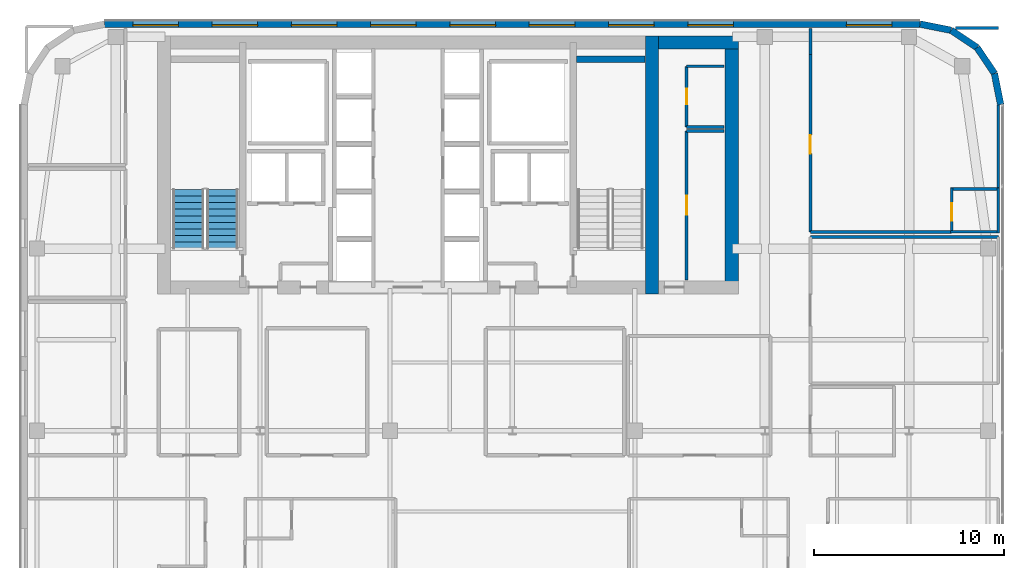
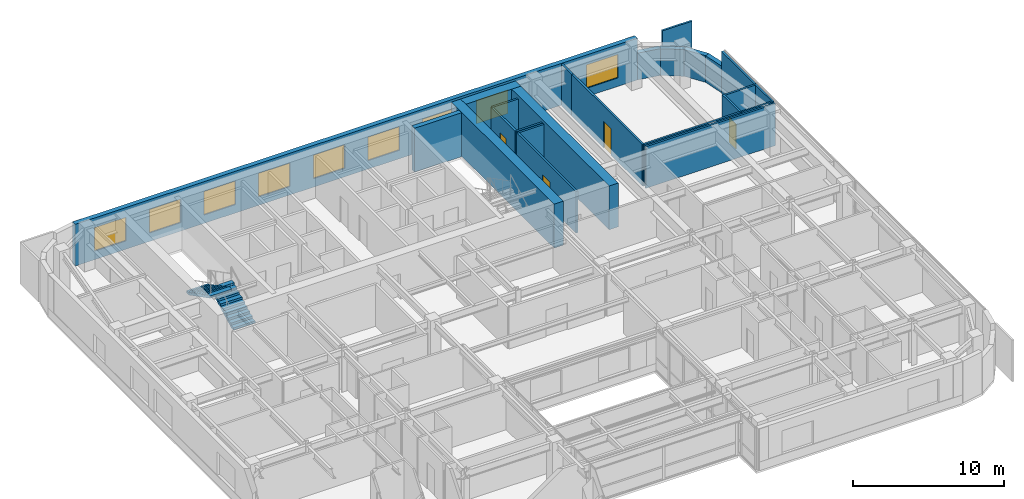
# One storey, part 20 of 26: 24 walls, 9 windows, 4 doors, 2 stair flights, 13 openings, 1 element without a shape of its own.
"""IFC4 building model written with IfcOpenShell, lengths in metres."""

from ifc_helpers import new_model, si_unit, direction, frame, frame_2d, origin, place, context, subcontext, project, spatial, polyline, rectangle, outline, extrude, source, transform, mapped, material, layer, layer_set, type_object, type_shapes, element, fill, aggregate, save


model = new_model("IFC4")

# Units and contexts
model_context = context("Model", 3, precision=1e-05, world=origin(), true_north=direction((0.0, 1.0)))
body_context = subcontext(model_context, "Body", "Model", "MODEL_VIEW")
ifc_project = project(units=[si_unit("LENGTHUNIT", "METRE"), si_unit("AREAUNIT", "SQUARE_METRE"), si_unit("VOLUMEUNIT", "CUBIC_METRE"), si_unit("PLANEANGLEUNIT", "RADIAN"), si_unit("MASSUNIT", "GRAM", prefix="KILO")], contexts=[model_context])

# Site, building, storey
site_placement = place(None, origin())
site = spatial("IfcSite", under=ifc_project, at=site_placement, CompositionType="ELEMENT")
building_placement = place(site_placement, origin())
building = spatial("IfcBuilding", under=site, at=building_placement, Name="Tolvann Quenvar Hotel", CompositionType="ELEMENT")
storey_placement = place(building_placement, frame((0.0, 0.0, 168.35009765625)))
storey = spatial("IfcBuildingStorey", under=building, at=storey_placement, Name="L44", CompositionType="ELEMENT", Elevation=168.35009765625)

# Walls
ifc_material_1 = material(Name="Concrete S65 (65 MPa)", Category="concrete")
ifc_layer_1 = layer(ifc_material_1, 0.699951171875)
ifc_layer_set_1 = layer_set([ifc_layer_1], Name="Concrete S65 (65 MPa)")
wall_type_1 = type_object("IfcWallType", Name="WALL_CORE_700", PredefinedType="SHEAR", material=ifc_layer_set_1)
wall_1_placement = place(storey_placement, frame((35.85009765625, 31.60009765625, 0.0), z_axis=(0.0, 0.0, 1.0), x_axis=(0.0, 1.0, 0.0)))
element("IfcWall", 1, at=wall_1_placement, inside=storey, type_object=wall_type_1, Name="Rear Core E Shear Wall (L44)", PredefinedType="SHEAR", context=body_context, shape_type="SweptSolid", body=[
    extrude(rectangle(XDim=13.599853515625, YDim=0.699951171875, at=frame_2d((6.7998046875, 0.0))), origin(), (0.0, 0.0, 1.0), 3.5498046875),
])
wall_2_placement = place(storey_placement, frame((36.199951171875, 44.85009765625, 0.0), z_axis=(0.0, 0.0, 1.0), x_axis=(1.0, 0.0, 0.0)))
element("IfcWall", 2, at=wall_2_placement, inside=storey, type_object=wall_type_1, Name="Core East Annex Shear Wall ANN-N (L44)", PredefinedType="SHEAR", context=body_context, shape_type="SweptSolid", body=[
    extrude(rectangle(XDim=4.199951171875, YDim=0.699951171875, at=frame_2d((2.10009765625, 0.0))), origin(), (0.0, 0.0, 1.0), 3.5498046875),
])
wall_3_placement = place(storey_placement, frame((40.050048828125, 31.60009765625, 0.0), z_axis=(0.0, 0.0, 1.0), x_axis=(0.0, 1.0, 0.0)))
element("IfcWall", 3, at=wall_3_placement, inside=storey, type_object=wall_type_1, Name="Core East Annex Shear Wall ANN-E (L44)", PredefinedType="SHEAR", context=body_context, shape_type="SweptSolid", body=[
    extrude(rectangle(XDim=13.599853515625, YDim=0.699951171875, at=frame_2d((6.7998046875, 0.0))), origin(), (0.0, 0.0, 1.0), 3.5498046875),
])
ifc_layer_2 = layer(ifc_material_1, 0.35009765625)
ifc_layer_set_2 = layer_set([ifc_layer_2], Name="Concrete S65 (65 MPa)")
wall_type_2 = type_object("IfcWallType", Name="WALL_CORE_INT_350", PredefinedType="SHEAR", material=ifc_layer_set_2)
wall_4_placement = place(storey_placement, frame((31.8798828125, 43.97509765625, 0.0), z_axis=(0.0, 0.0, 1.0), x_axis=(1.0, 0.0, 0.0)))
element("IfcWall", 4, at=wall_4_placement, inside=storey, type_object=wall_type_2, Name="Core Stair North Closing Shear Wall STC2-N (L44)", PredefinedType="SHEAR", context=body_context, shape_type="SweptSolid", body=[
    extrude(rectangle(XDim=3.60009765625, YDim=0.35009765625, at=frame_2d((1.800048828125, 0.0))), origin(), (0.0, 0.0, 1.0), 3.5498046875),
])
ifc_material_2 = material(Name="Kiln-fired red and buff architectural clay brickwork and terracotta masonry", Category="masonry")
ifc_layer_3 = layer(ifc_material_2, 0.35009765625)
ifc_layer_set_3 = layer_set([ifc_layer_3], Name="Kiln-fired red and buff architectural clay brickwork and terracotta masonry")
wall_type_3 = type_object("IfcWallType", Name="WALL_EXT_BRICK_350", PredefinedType="SOLIDWALL", material=ifc_layer_set_3)
wall_5_placement = place(storey_placement, frame((54.22509765625, 41.582763671875, 0.0), z_axis=(0.0, 0.0, 1.0), x_axis=(-0.195044345786, 0.980794424524, 0.0)))
element("IfcWall", 5, at=wall_5_placement, inside=storey, type_object=wall_type_3, Name="Exterior Chicago Brick Wall L44-E14", PredefinedType="SOLIDWALL", context=body_context, shape_type="SweptSolid", body=[
    extrude(rectangle(XDim=1.664794921875, YDim=0.35009765625, at=frame_2d((0.83251953125, 0.0))), origin(), (0.0, 0.0, 1.0), 2.159912109375),
])
for number, where, z_axis, x_axis, name in (
    (6, (53.900390625, 43.215576171875, 0.0), (0.0, 0.0, 1.0), (-0.555623290322, 0.831434158098, 0.0), "Exterior Chicago Brick Wall L44-E15"),
    (7, (52.985107421875, 44.585205078125, 0.0), (0.0, 0.0, 1.0), (-0.831502623162, 0.555520825599, 0.0), "Exterior Chicago Brick Wall L44-E16"),
):
    element("IfcWall", number, at=place(storey_placement, frame(where, z_axis=z_axis, x_axis=x_axis)), inside=storey, type_object=wall_type_3, Name=name, PredefinedType="SOLIDWALL", context=body_context, shape_type="SweptSolid", body=[
        extrude(rectangle(XDim=1.647216796875, YDim=0.35009765625, at=frame_2d((0.82373046875, 0.0))), origin(), (0.0, 0.0, 1.0), 2.159912109375),
    ])
wall_6_placement = place(storey_placement, frame((51.615478515625, 45.500244140625, 0.0), z_axis=(0.0, 0.0, 1.0), x_axis=(-0.980788844421, 0.195072403631, 0.0)))
element("IfcWall", 8, at=wall_6_placement, inside=storey, type_object=wall_type_3, Name="Exterior Chicago Brick Wall L44-E17", PredefinedType="SOLIDWALL", context=body_context, shape_type="SweptSolid", body=[
    extrude(rectangle(XDim=1.66455078125, YDim=0.35009765625, at=frame_2d((0.832275390625, 0.0))), origin(), (0.0, 0.0, 1.0), 2.159912109375),
])

# Wall, openings, windows
wall_7_placement = place(storey_placement, frame((49.98291015625, 45.824951171875, 0.0), z_axis=(0.0, 0.0, 1.0), x_axis=(-1.0, 0.0, 0.0)))
wall_7 = element("IfcWall", 9, at=wall_7_placement, inside=storey, type_object=wall_type_3, Name="Exterior Chicago Brick Wall L44-E18", PredefinedType="SOLIDWALL", context=body_context, shape_type="SweptSolid", body=[
    extrude(rectangle(XDim=42.9658203125, YDim=0.35009765625, at=frame_2d((21.48291015625, 0.0))), origin(), (0.0, 0.0, 1.0), 3.369873046875),
])
opening_1_placement = place(wall_7_placement, frame((1.488037109375, 0.0, 0.679931640625)))
opening_1 = element("IfcOpeningElement", 10, at=opening_1_placement, cuts=wall_7, Name="Opening W-01", PredefinedType="OPENING", context=body_context, shape_type="SweptSolid", body=[
    extrude(rectangle(XDim=2.39990234375, YDim=1.89990234375, at=frame_2d((1.199951171875, 0.949951171875))), frame((0.0, 0.18505859375, 0.0), z_axis=(0.0, -1.0, 0.0), x_axis=(1.0, 0.0, 0.0)), (0.0, 0.0, 1.0), 0.3701171875),
])
opening_2_placement = place(wall_7_placement, frame((9.841064453125, 0.0, 0.679931640625)))
opening_2 = element("IfcOpeningElement", 11, at=opening_2_placement, cuts=wall_7, Name="Opening W-01", PredefinedType="OPENING", context=body_context, shape_type="SweptSolid", body=[
    extrude(rectangle(XDim=2.39990234375, YDim=1.89990234375, at=frame_2d((1.199951171875, 0.949951171875))), frame((0.0, 0.18505859375, 0.0), z_axis=(0.0, -1.0, 0.0), x_axis=(1.0, 0.0, 0.0)), (0.0, 0.0, 1.0), 0.3701171875),
])
opening_3_placement = place(wall_7_placement, frame((14.01806640625, 0.0, 0.679931640625)))
opening_3 = element("IfcOpeningElement", 12, at=opening_3_placement, cuts=wall_7, Name="Opening W-01", PredefinedType="OPENING", context=body_context, shape_type="SweptSolid", body=[
    extrude(rectangle(XDim=2.39990234375, YDim=1.89990234375, at=frame_2d((1.199951171875, 0.949951171875))), frame((0.0, 0.18505859375, 0.0), z_axis=(0.0, -1.0, 0.0), x_axis=(1.0, 0.0, 0.0)), (0.0, 0.0, 1.0), 0.3701171875),
])
opening_4_placement = place(wall_7_placement, frame((18.195068359375, 0.0, 0.679931640625)))
opening_4 = element("IfcOpeningElement", 13, at=opening_4_placement, cuts=wall_7, Name="Opening W-01", PredefinedType="OPENING", context=body_context, shape_type="SweptSolid", body=[
    extrude(rectangle(XDim=2.39990234375, YDim=1.89990234375, at=frame_2d((1.199951171875, 0.949951171875))), frame((0.0, 0.18505859375, 0.0), z_axis=(0.0, -1.0, 0.0), x_axis=(1.0, 0.0, 0.0)), (0.0, 0.0, 1.0), 0.3701171875),
])
opening_5_placement = place(wall_7_placement, frame((22.37109375, 0.0, 0.679931640625)))
opening_5 = element("IfcOpeningElement", 14, at=opening_5_placement, cuts=wall_7, Name="Opening W-01", PredefinedType="OPENING", context=body_context, shape_type="SweptSolid", body=[
    extrude(rectangle(XDim=2.39990234375, YDim=1.89990234375, at=frame_2d((1.199951171875, 0.949951171875))), frame((0.0, 0.18505859375, 0.0), z_axis=(0.0, -1.0, 0.0), x_axis=(1.0, 0.0, 0.0)), (0.0, 0.0, 1.0), 0.3701171875),
])
opening_6_placement = place(wall_7_placement, frame((26.548095703125, 0.0, 0.679931640625)))
opening_6 = element("IfcOpeningElement", 15, at=opening_6_placement, cuts=wall_7, Name="Opening W-01", PredefinedType="OPENING", context=body_context, shape_type="SweptSolid", body=[
    extrude(rectangle(XDim=2.39990234375, YDim=1.89990234375, at=frame_2d((1.199951171875, 0.949951171875))), frame((0.0, 0.18505859375, 0.0), z_axis=(0.0, -1.0, 0.0), x_axis=(1.0, 0.0, 0.0)), (0.0, 0.0, 1.0), 0.3701171875),
])
opening_7_placement = place(wall_7_placement, frame((30.72412109375, 0.0, 0.679931640625)))
opening_7 = element("IfcOpeningElement", 16, at=opening_7_placement, cuts=wall_7, Name="Opening W-01", PredefinedType="OPENING", context=body_context, shape_type="SweptSolid", body=[
    extrude(rectangle(XDim=2.39990234375, YDim=1.89990234375, at=frame_2d((1.199951171875, 0.949951171875))), frame((0.0, 0.18505859375, 0.0), z_axis=(0.0, -1.0, 0.0), x_axis=(1.0, 0.0, 0.0)), (0.0, 0.0, 1.0), 0.3701171875),
])
opening_8_placement = place(wall_7_placement, frame((34.90087890625, 0.0, 0.679931640625)))
opening_8 = element("IfcOpeningElement", 17, at=opening_8_placement, cuts=wall_7, Name="Opening W-01", PredefinedType="OPENING", context=body_context, shape_type="SweptSolid", body=[
    extrude(rectangle(XDim=2.39990234375, YDim=1.89990234375, at=frame_2d((1.199951171875, 0.949951171875))), frame((0.0, 0.18505859375, 0.0), z_axis=(0.0, -1.0, 0.0), x_axis=(1.0, 0.0, 0.0)), (0.0, 0.0, 1.0), 0.3701171875),
])
opening_9_placement = place(wall_7_placement, frame((39.076904296875, 0.0, 0.679931640625)))
opening_9 = element("IfcOpeningElement", 18, at=opening_9_placement, cuts=wall_7, Name="Opening W-01", PredefinedType="OPENING", context=body_context, shape_type="SweptSolid", body=[
    extrude(rectangle(XDim=2.39990234375, YDim=1.89990234375, at=frame_2d((1.199951171875, 0.949951171875))), frame((0.0, 0.18505859375, 0.0), z_axis=(0.0, -1.0, 0.0), x_axis=(1.0, 0.0, 0.0)), (0.0, 0.0, 1.0), 0.3701171875),
])
ifc_material_3 = material(Name="Thermally broken bronze-anodised aluminium frame with double low-E glazing", Category="aluminium")
window_type = type_object("IfcWindowType", Name="WIN_CHI_2400x2050", PartitioningType="TRIPLE_PANEL_HORIZONTAL", PredefinedType="WINDOW", material=ifc_material_3)
shared_shape_1 = source(origin(), body_context, "Body", "SweptSolid", [
    extrude(rectangle(XDim=2.39990234375, YDim=1.89990234375, at=frame_2d((1.199951171875, 0.949951171875))), frame((0.0, 0.090087890625, 0.0), z_axis=(0.0, -1.0, 0.0), x_axis=(1.0, 0.0, 0.0)), (0.0, 0.0, 1.0), 0.06005859375),
])
type_shapes(window_type, [shared_shape_1])
window_1_placement = place(opening_1_placement, origin())
window_1 = element("IfcWindow", 19, at=window_1_placement, inside=storey, type_object=window_type, Name="Chicago Window W-01 (EW-L44-E18-W01)", OverallHeight=1.89990234375, OverallWidth=2.39990234375, PartitioningType="TRIPLE_PANEL_HORIZONTAL", PredefinedType="WINDOW", context=body_context, shape_type="MappedRepresentation", body=[
    mapped(shared_shape_1, transform((0.0, 0.0, 0.0), x_axis=(1.0, 0.0, 0.0), y_axis=(0.0, 1.0, 0.0), z_axis=(0.0, 0.0, 1.0), scale=1.0)),
])
fill(opening_1, window_1)
window_2_placement = place(opening_2_placement, origin())
window_2 = element("IfcWindow", 20, at=window_2_placement, inside=storey, type_object=window_type, Name="Chicago Window W-01 (EW-L44-E18-W02)", OverallHeight=1.89990234375, OverallWidth=2.39990234375, PartitioningType="TRIPLE_PANEL_HORIZONTAL", PredefinedType="WINDOW", context=body_context, shape_type="MappedRepresentation", body=[
    mapped(shared_shape_1, transform((0.0, 0.0, 0.0), x_axis=(1.0, 0.0, 0.0), y_axis=(0.0, 1.0, 0.0), z_axis=(0.0, 0.0, 1.0), scale=1.0)),
])
fill(opening_2, window_2)
window_3_placement = place(opening_3_placement, origin())
window_3 = element("IfcWindow", 21, at=window_3_placement, inside=storey, type_object=window_type, Name="Chicago Window W-01 (EW-L44-E18-W03)", OverallHeight=1.89990234375, OverallWidth=2.39990234375, PartitioningType="TRIPLE_PANEL_HORIZONTAL", PredefinedType="WINDOW", context=body_context, shape_type="MappedRepresentation", body=[
    mapped(shared_shape_1, transform((0.0, 0.0, 0.0), x_axis=(1.0, 0.0, 0.0), y_axis=(0.0, 1.0, 0.0), z_axis=(0.0, 0.0, 1.0), scale=1.0)),
])
fill(opening_3, window_3)
window_4_placement = place(opening_4_placement, origin())
window_4 = element("IfcWindow", 22, at=window_4_placement, inside=storey, type_object=window_type, Name="Chicago Window W-01 (EW-L44-E18-W04)", OverallHeight=1.89990234375, OverallWidth=2.39990234375, PartitioningType="TRIPLE_PANEL_HORIZONTAL", PredefinedType="WINDOW", context=body_context, shape_type="MappedRepresentation", body=[
    mapped(shared_shape_1, transform((0.0, 0.0, 0.0), x_axis=(1.0, 0.0, 0.0), y_axis=(0.0, 1.0, 0.0), z_axis=(0.0, 0.0, 1.0), scale=1.0)),
])
fill(opening_4, window_4)
window_5_placement = place(opening_5_placement, origin())
window_5 = element("IfcWindow", 23, at=window_5_placement, inside=storey, type_object=window_type, Name="Chicago Window W-01 (EW-L44-E18-W05)", OverallHeight=1.89990234375, OverallWidth=2.39990234375, PartitioningType="TRIPLE_PANEL_HORIZONTAL", PredefinedType="WINDOW", context=body_context, shape_type="MappedRepresentation", body=[
    mapped(shared_shape_1, transform((0.0, 0.0, 0.0), x_axis=(1.0, 0.0, 0.0), y_axis=(0.0, 1.0, 0.0), z_axis=(0.0, 0.0, 1.0), scale=1.0)),
])
fill(opening_5, window_5)
window_6_placement = place(opening_6_placement, origin())
window_6 = element("IfcWindow", 24, at=window_6_placement, inside=storey, type_object=window_type, Name="Chicago Window W-01 (EW-L44-E18-W06)", OverallHeight=1.89990234375, OverallWidth=2.39990234375, PartitioningType="TRIPLE_PANEL_HORIZONTAL", PredefinedType="WINDOW", context=body_context, shape_type="MappedRepresentation", body=[
    mapped(shared_shape_1, transform((0.0, 0.0, 0.0), x_axis=(1.0, 0.0, 0.0), y_axis=(0.0, 1.0, 0.0), z_axis=(0.0, 0.0, 1.0), scale=1.0)),
])
fill(opening_6, window_6)
window_7_placement = place(opening_7_placement, origin())
window_7 = element("IfcWindow", 25, at=window_7_placement, inside=storey, type_object=window_type, Name="Chicago Window W-01 (EW-L44-E18-W07)", OverallHeight=1.89990234375, OverallWidth=2.39990234375, PartitioningType="TRIPLE_PANEL_HORIZONTAL", PredefinedType="WINDOW", context=body_context, shape_type="MappedRepresentation", body=[
    mapped(shared_shape_1, transform((0.0, 0.0, 0.0), x_axis=(1.0, 0.0, 0.0), y_axis=(0.0, 1.0, 0.0), z_axis=(0.0, 0.0, 1.0), scale=1.0)),
])
fill(opening_7, window_7)
window_8_placement = place(opening_8_placement, origin())
window_8 = element("IfcWindow", 26, at=window_8_placement, inside=storey, type_object=window_type, Name="Chicago Window W-01 (EW-L44-E18-W08)", OverallHeight=1.89990234375, OverallWidth=2.39990234375, PartitioningType="TRIPLE_PANEL_HORIZONTAL", PredefinedType="WINDOW", context=body_context, shape_type="MappedRepresentation", body=[
    mapped(shared_shape_1, transform((0.0, 0.0, 0.0), x_axis=(1.0, 0.0, 0.0), y_axis=(0.0, 1.0, 0.0), z_axis=(0.0, 0.0, 1.0), scale=1.0)),
])
fill(opening_8, window_8)
window_9_placement = place(opening_9_placement, origin())
window_9 = element("IfcWindow", 27, at=window_9_placement, inside=storey, type_object=window_type, Name="Chicago Window W-01 (EW-L44-E18-W09)", OverallHeight=1.89990234375, OverallWidth=2.39990234375, PartitioningType="TRIPLE_PANEL_HORIZONTAL", PredefinedType="WINDOW", context=body_context, shape_type="MappedRepresentation", body=[
    mapped(shared_shape_1, transform((0.0, 0.0, 0.0), x_axis=(1.0, 0.0, 0.0), y_axis=(0.0, 1.0, 0.0), z_axis=(0.0, 0.0, 1.0), scale=1.0)),
])
fill(opening_9, window_9)

# Walls
ifc_material_4 = material(Name="Moisture-resistant acoustic plumbing wall assembly")
ifc_layer_4 = layer(ifc_material_4, 0.1201171875)
ifc_layer_set_4 = layer_set([ifc_layer_4], Name="Moisture-resistant acoustic plumbing wall assembly")
wall_type_4 = type_object("IfcWallType", Name="WALL_PART_BATH_120", PredefinedType="PLUMBINGWALL", material=ifc_layer_set_4)
wall_8_placement = place(storey_placement, frame((51.580078125, 34.8798828125, 0.0), z_axis=(0.0, 0.0, 1.0), x_axis=(1.0, 0.0, 0.0)))
element("IfcWall", 28, at=wall_8_placement, inside=storey, type_object=wall_type_4, Name="Non-Rated Plumbing Partition PT-SPC-L44-ENS-NE01-S", PredefinedType="PLUMBINGWALL", context=body_context, shape_type="SweptSolid", body=[
    extrude(rectangle(XDim=2.58984375, YDim=0.1201171875, at=frame_2d((1.294921875, 0.0))), origin(), (0.0, 0.0, 1.0), 3.369873046875),
])
wall_9_placement = place(storey_placement, frame((54.10009765625, 34.81005859375, 0.0), z_axis=(0.0, 0.0, 1.0), x_axis=(0.0, 1.0, 0.0)))
element("IfcWall", 29, at=wall_9_placement, inside=storey, type_object=wall_type_4, Name="Non-Rated Plumbing Partition PT-SPC-L44-ENS-NE01-E", PredefinedType="PLUMBINGWALL", context=body_context, shape_type="SweptSolid", body=[
    extrude(rectangle(XDim=2.389892578125, YDim=0.1201171875, at=frame_2d((1.19482421875, 0.0))), origin(), (0.0, 0.0, 1.0), 3.369873046875),
])

# Wall, opening, door
ifc_material_5 = material(Name="Acoustic twin-stud fire-rated gypsum plasterboard partition")
ifc_layer_5 = layer(ifc_material_5, 0.14990234375)
ifc_layer_set_5 = layer_set([ifc_layer_5], Name="Acoustic twin-stud fire-rated gypsum plasterboard partition")
wall_type_5 = type_object("IfcWallType", Name="WALL_PART_SUITE_150", PredefinedType="PARTITIONING", material=ifc_layer_set_5)
wall_10_placement = place(storey_placement, frame((51.64990234375, 34.81005859375, 0.0), z_axis=(0.0, 0.0, 1.0), x_axis=(0.0, 1.0, 0.0)))
wall_10 = element("IfcWall", 30, at=wall_10_placement, inside=storey, type_object=wall_type_5, Name="Interior Partition PT-SPC-L44-ENS-NE01-ENT", PredefinedType="PARTITIONING", context=body_context, shape_type="SweptSolid", body=[
    extrude(rectangle(XDim=2.389892578125, YDim=0.14990234375, at=frame_2d((1.19482421875, 0.0))), origin(), (0.0, 0.0, 1.0), 3.369873046875),
])
opening_10_placement = place(wall_10_placement, frame((0.6650390625, 0.0, 0.0)))
opening_10 = element("IfcOpeningElement", 31, at=opening_10_placement, cuts=wall_10, Name="Opening WD-01", PredefinedType="OPENING", context=body_context, shape_type="SweptSolid", body=[
    extrude(rectangle(XDim=0.919921875, YDim=2.010009765625, at=frame_2d((0.4599609375, 1.0048828125))), frame((0.0, 0.0849609375, 0.0), z_axis=(0.0, -1.0, 0.0), x_axis=(1.0, 0.0, 0.0)), (0.0, 0.0, 1.0), 0.169921875),
])
ifc_material_6 = material(Name="Solid-core American oak acoustic fire door leaf in steel frame", Category="steel")
door_type_1 = type_object("IfcDoorType", Name="DOOR_WC_920", OperationType="NOTDEFINED", PredefinedType="DOOR", material=ifc_material_6)
shared_shape_2 = source(origin(), body_context, "Body", "SweptSolid", [
    extrude(rectangle(XDim=0.919921875, YDim=2.010009765625, at=frame_2d((0.4599609375, 1.0048828125))), frame((0.0, 0.02490234375, 0.0), z_axis=(0.0, -1.0, 0.0), x_axis=(1.0, 0.0, 0.0)), (0.0, 0.0, 1.0), 0.050048828125),
])
type_shapes(door_type_1, [shared_shape_2])
door_1_placement = place(opening_10_placement, origin())
door_1 = element("IfcDoor", 32, at=door_1_placement, inside=storey, type_object=door_type_1, Name="Interior Door DOOR-SPC-L44-ENS-NE01", OperationType="SINGLE_SWING_LEFT", OverallHeight=2.010009765625, OverallWidth=0.919921875, PredefinedType="DOOR", context=body_context, shape_type="MappedRepresentation", body=[
    mapped(shared_shape_2, transform((0.0, 0.0, 0.0), x_axis=(1.0, 0.0, 0.0), y_axis=(0.0, 1.0, 0.0), z_axis=(0.0, 0.0, 1.0), scale=1.0)),
])
fill(opening_10, door_1)

# Walls
wall_11_placement = place(storey_placement, frame((51.580078125, 37.1298828125, 0.0), z_axis=(0.0, 0.0, 1.0), x_axis=(1.0, 0.0, 0.0)))
element("IfcWall", 33, at=wall_11_placement, inside=storey, type_object=wall_type_5, Name="Interior Partition PT-SPC-L44-ENS-NE01-N", PredefinedType="PARTITIONING", context=body_context, shape_type="SweptSolid", body=[
    extrude(rectangle(XDim=2.58984375, YDim=0.14990234375, at=frame_2d((1.294921875, 0.0))), origin(), (0.0, 0.0, 1.0), 3.369873046875),
])
wall_12_placement = place(storey_placement, frame((37.679931640625, 40.199951171875, 0.0), z_axis=(0.0, 0.0, 1.0), x_axis=(1.0, 0.0, 0.0)))
element("IfcWall", 34, at=wall_12_placement, inside=storey, type_object=wall_type_5, Name="Interior Partition PT-SPC-L44-RECPL-1-N", PredefinedType="PARTITIONING", context=body_context, shape_type="SweptSolid", body=[
    extrude(rectangle(XDim=1.965087890625, YDim=0.14990234375, at=frame_2d((0.982421875, 0.0))), origin(), (0.0, 0.0, 1.0), 3.369873046875),
])

# Wall, opening, door
wall_13_placement = place(storey_placement, frame((37.679931640625, 32.35498046875, 0.0), z_axis=(0.0, 0.0, 1.0), x_axis=(0.0, 1.0, 0.0)))
wall_13 = element("IfcWall", 35, at=wall_13_placement, inside=storey, type_object=wall_type_5, Name="Interior Partition PT-SPC-L44-RECPL-1-W", PredefinedType="PARTITIONING", context=body_context, shape_type="SweptSolid", body=[
    extrude(rectangle(XDim=7.844970703125, YDim=0.14990234375, at=frame_2d((3.92236328125, 0.0))), origin(), (0.0, 0.0, 1.0), 3.369873046875),
])
opening_11_placement = place(wall_13_placement, frame((3.41259765625, 0.0, 0.0)))
opening_11 = element("IfcOpeningElement", 36, at=opening_11_placement, cuts=wall_13, Name="Opening HD-01", PredefinedType="OPENING", context=body_context, shape_type="SweptSolid", body=[
    extrude(rectangle(XDim=1.02001953125, YDim=2.030029296875, at=frame_2d((0.510009765625, 1.01513671875))), frame((0.0, 0.0849609375, 0.0), z_axis=(0.0, -1.0, 0.0), x_axis=(1.0, 0.0, 0.0)), (0.0, 0.0, 1.0), 0.169921875),
])
ifc_material_7 = material(Name="Pressed galvanised steel fire-rated door set", Category="steel")
door_type_2 = type_object("IfcDoorType", Name="DOOR_BOH_1020", OperationType="NOTDEFINED", PredefinedType="DOOR", material=ifc_material_7)
shared_shape_3 = source(origin(), body_context, "Body", "SweptSolid", [
    extrude(rectangle(XDim=1.02001953125, YDim=2.030029296875, at=frame_2d((0.510009765625, 1.01513671875))), frame((0.0, 0.02490234375, 0.0), z_axis=(0.0, -1.0, 0.0), x_axis=(1.0, 0.0, 0.0)), (0.0, 0.0, 1.0), 0.050048828125),
])
type_shapes(door_type_2, [shared_shape_3])
door_2_placement = place(opening_11_placement, origin())
door_2 = element("IfcDoor", 37, at=door_2_placement, inside=storey, type_object=door_type_2, Name="Interior Door DOOR-SPC-L44-RECPL-1", OperationType="SINGLE_SWING_RIGHT", OverallHeight=2.030029296875, OverallWidth=1.02001953125, PredefinedType="DOOR", context=body_context, shape_type="MappedRepresentation", body=[
    mapped(shared_shape_3, transform((0.0, 0.0, 0.0), x_axis=(1.0, 0.0, 0.0), y_axis=(0.0, 1.0, 0.0), z_axis=(0.0, 0.0, 1.0), scale=1.0)),
])
fill(opening_11, door_2)

# Walls
for number, where, z_axis, x_axis, name in (
    (38, (37.679931640625, 40.39990234375, 0.0), (0.0, 0.0, 1.0), (1.0, 0.0, 0.0), "Interior Partition PT-SPC-L44-CSE-1-S"),
    (39, (37.679931640625, 43.60009765625, 0.0), (0.0, 0.0, 1.0), (1.0, 0.0, 0.0), "Interior Partition PT-SPC-L44-CSE-1-N"),
):
    element("IfcWall", number, at=place(storey_placement, frame(where, z_axis=z_axis, x_axis=x_axis)), inside=storey, type_object=wall_type_5, Name=name, PredefinedType="PARTITIONING", context=body_context, shape_type="SweptSolid", body=[
        extrude(rectangle(XDim=1.965087890625, YDim=0.14990234375, at=frame_2d((0.982421875, 0.0))), origin(), (0.0, 0.0, 1.0), 3.369873046875),
    ])

# Wall, opening, door
wall_14_placement = place(storey_placement, frame((37.679931640625, 40.39990234375, 0.0), z_axis=(0.0, 0.0, 1.0), x_axis=(0.0, 1.0, 0.0)))
wall_14 = element("IfcWall", 40, at=wall_14_placement, inside=storey, type_object=wall_type_5, Name="Interior Partition PT-SPC-L44-CSE-1-W", PredefinedType="PARTITIONING", context=body_context, shape_type="SweptSolid", body=[
    extrude(rectangle(XDim=3.2001953125, YDim=0.14990234375, at=frame_2d((1.60009765625, 0.0))), origin(), (0.0, 0.0, 1.0), 3.369873046875),
])
opening_12_placement = place(wall_14_placement, frame((1.18994140625, 0.0, 0.0)))
opening_12 = element("IfcOpeningElement", 41, at=opening_12_placement, cuts=wall_14, Name="Opening HD-02", PredefinedType="OPENING", context=body_context, shape_type="SweptSolid", body=[
    extrude(rectangle(XDim=0.820068359375, YDim=2.010009765625, at=frame_2d((0.41015625, 1.0048828125))), frame((0.0, 0.0849609375, 0.0), z_axis=(0.0, -1.0, 0.0), x_axis=(1.0, 0.0, 0.0)), (0.0, 0.0, 1.0), 0.169921875),
])
door_type_3 = type_object("IfcDoorType", Name="DOOR_STORE_820", OperationType="NOTDEFINED", PredefinedType="DOOR", material=ifc_material_7)
shared_shape_4 = source(origin(), body_context, "Body", "SweptSolid", [
    extrude(rectangle(XDim=0.820068359375, YDim=2.010009765625, at=frame_2d((0.41015625, 1.0048828125))), frame((0.0, 0.02490234375, 0.0), z_axis=(0.0, -1.0, 0.0), x_axis=(1.0, 0.0, 0.0)), (0.0, 0.0, 1.0), 0.050048828125),
])
type_shapes(door_type_3, [shared_shape_4])
door_3_placement = place(opening_12_placement, origin())
door_3 = element("IfcDoor", 42, at=door_3_placement, inside=storey, type_object=door_type_3, Name="Interior Door DOOR-SPC-L44-CSE-1", OperationType="SINGLE_SWING_LEFT", OverallHeight=2.010009765625, OverallWidth=0.820068359375, PredefinedType="DOOR", context=body_context, shape_type="MappedRepresentation", body=[
    mapped(shared_shape_4, transform((0.0, 0.0, 0.0), x_axis=(1.0, 0.0, 0.0), y_axis=(0.0, 1.0, 0.0), z_axis=(0.0, 0.0, 1.0), scale=1.0)),
])
fill(opening_12, door_3)

# Wall
wall_15_placement = place(storey_placement, frame((44.199951171875, 34.60009765625, 0.0), z_axis=(0.0, 0.0, 1.0), x_axis=(1.0, 0.0, 0.0)))
element("IfcWall", 43, at=wall_15_placement, inside=storey, type_object=wall_type_5, Name="Interior Partition PT-SPC-L44-SPA-N", PredefinedType="PARTITIONING", context=body_context, shape_type="SweptSolid", body=[
    extrude(rectangle(XDim=9.900146484375, YDim=0.14990234375, at=frame_2d((4.9501953125, 0.0))), origin(), (0.0, 0.0, 1.0), 3.369873046875),
])

# Wall, opening, door
wall_16_placement = place(storey_placement, frame((44.199951171875, 34.8798828125, 0.0), z_axis=(0.0, 0.0, 1.0), x_axis=(0.0, 1.0, 0.0)))
wall_16 = element("IfcWall", 44, at=wall_16_placement, inside=storey, type_object=wall_type_5, Name="Interior Partition PT-SPC-L44-RM-NE01-ENT", PredefinedType="PARTITIONING", context=body_context, shape_type="SweptSolid", body=[
    extrude(rectangle(XDim=9.330078125, YDim=0.14990234375, at=frame_2d((4.6650390625, 0.0))), origin(), (0.0, 0.0, 1.0), 3.369873046875),
])
opening_13_placement = place(wall_16_placement, frame((4.1201171875, 0.0, 0.0)))
opening_13 = element("IfcOpeningElement", 45, at=opening_13_placement, cuts=wall_16, Name="Opening SD-01", PredefinedType="OPENING", context=body_context, shape_type="SweptSolid", body=[
    extrude(rectangle(XDim=0.97998046875, YDim=2.1201171875, at=frame_2d((0.489990234375, 1.06005859375))), frame((0.0, 0.0849609375, 0.0), z_axis=(0.0, -1.0, 0.0), x_axis=(1.0, 0.0, 0.0)), (0.0, 0.0, 1.0), 0.169921875),
])
door_type_4 = type_object("IfcDoorType", Name="DOOR_SUITE_980", OperationType="NOTDEFINED", PredefinedType="DOOR", material=ifc_material_6)
shared_shape_5 = source(origin(), body_context, "Body", "SweptSolid", [
    extrude(rectangle(XDim=0.97998046875, YDim=2.1201171875, at=frame_2d((0.489990234375, 1.06005859375))), frame((0.0, 0.02490234375, 0.0), z_axis=(0.0, -1.0, 0.0), x_axis=(1.0, 0.0, 0.0)), (0.0, 0.0, 1.0), 0.050048828125),
])
type_shapes(door_type_4, [shared_shape_5])
door_4_placement = place(opening_13_placement, origin())
door_4 = element("IfcDoor", 46, at=door_4_placement, inside=storey, type_object=door_type_4, Name="Interior Door DOOR-SPC-L44-RM-NE01", OperationType="SINGLE_SWING_LEFT", OverallHeight=2.1201171875, OverallWidth=0.97998046875, PredefinedType="DOOR", context=body_context, shape_type="MappedRepresentation", body=[
    mapped(shared_shape_5, transform((0.0, 0.0, 0.0), x_axis=(1.0, 0.0, 0.0), y_axis=(0.0, 1.0, 0.0), z_axis=(0.0, 0.0, 1.0), scale=1.0)),
])
fill(opening_13, door_4)

# Walls
wall_17_placement = place(storey_placement, frame((44.199951171875, 34.8798828125, 0.0), z_axis=(0.0, 0.0, 1.0), x_axis=(1.0, 0.0, 0.0)))
element("IfcWall", 47, at=wall_17_placement, inside=storey, type_object=wall_type_5, Name="Interior Partition PT-SPC-L44-RM-NE01-E1", PredefinedType="PARTITIONING", context=body_context, shape_type="SweptSolid", body=[
    extrude(rectangle(XDim=7.429931640625, YDim=0.14990234375, at=frame_2d((3.71484375, 0.0))), origin(), (0.0, 0.0, 1.0), 3.369873046875),
])
wall_18_placement = place(storey_placement, frame((54.10009765625, 37.14990234375, 0.0), z_axis=(0.0, 0.0, 1.0), x_axis=(0.0, 1.0, 0.0)))
element("IfcWall", 48, at=wall_18_placement, inside=storey, type_object=wall_type_5, Name="Interior Partition PT-SPC-L44-RM-NE01-E4", PredefinedType="PARTITIONING", context=body_context, shape_type="SweptSolid", body=[
    extrude(rectangle(XDim=4.408203125, YDim=0.14990234375, at=frame_2d((2.2041015625, 0.0))), origin(), (0.0, 0.0, 1.0), 3.369873046875),
])
wall_19_placement = place(storey_placement, frame((51.85009765625, 45.6201171875, 0.0), z_axis=(0.0, 0.0, 1.0), x_axis=(1.0, 0.0, 0.0)))
element("IfcWall", 49, at=wall_19_placement, inside=storey, type_object=wall_type_5, Name="Interior Partition PT-SPC-L44-RM-NE01-E5", PredefinedType="PARTITIONING", context=body_context, shape_type="SweptSolid", body=[
    extrude(rectangle(XDim=2.25, YDim=0.14990234375, at=frame_2d((1.125, 0.0))), origin(), (0.0, 0.0, 1.0), 3.369873046875),
])
wall_20_placement = place(storey_placement, frame((44.199951171875, 44.219970703125, 0.0), z_axis=(0.0, 0.0, 1.0), x_axis=(0.0, 1.0, 0.0)))
element("IfcWall", 50, at=wall_20_placement, inside=storey, type_object=wall_type_5, Name="Interior Partition PT-SPC-L44-RM-NE01-E6", PredefinedType="PARTITIONING", context=body_context, shape_type="SweptSolid", body=[
    extrude(rectangle(XDim=1.375, YDim=0.14990234375, at=frame_2d((0.6875, 0.0))), origin(), (0.0, 0.0, 1.0), 3.369873046875),
])

# Stair, stair flights
ifc_material_8 = material(Name="Concrete N40 (40 MPa)", Category="concrete")
stair_type = type_object("IfcStairType", Name="STAIR", PredefinedType="HALF_TURN_STAIR", material=ifc_material_8)
stair_placement = place(storey_placement, origin())
stair = element("IfcStair", 51, at=stair_placement, inside=storey, type_object=stair_type, Name="L44 ST-C1", PredefinedType="HALF_TURN_STAIR")
stair_flight_type = type_object("IfcStairFlightType", Name="STAIR_FLIGHT", PredefinedType="STRAIGHT", material=ifc_material_8)
stair_flight_1_placement = place(storey_placement, frame((13.22509765625, 34.0, 0.0), z_axis=(0.0, 0.0, 1.0), x_axis=(0.0, 1.0, 0.0)))
stair_flight_1 = element("IfcStairFlight", 52, at=stair_flight_1_placement, type_object=stair_flight_type, Name="ST-C1 flight 1", NumberOfRisers=10, NumberOfTreads=9, PredefinedType="STRAIGHT", RiserHeight=0.1775, TreadLength=0.345, context=body_context, shape_type="SweptSolid", body=[
    extrude(outline(polyline([(0.0, 0.0), (0.0, 0.177490234375), (0.344970703125, 0.177490234375), (0.344970703125, 0.35498046875), (0.68994140625, 0.35498046875), (0.68994140625, 0.532470703125), (1.034912109375, 0.532470703125), (1.034912109375, 0.7099609375), (1.3798828125, 0.7099609375), (1.3798828125, 0.887451171875), (1.72509765625, 0.887451171875), (1.72509765625, 1.06494140625), (2.070068359375, 1.06494140625), (2.070068359375, 1.242431640625), (2.4150390625, 1.242431640625), (2.4150390625, 1.419921875), (2.760009765625, 1.419921875), (2.760009765625, 1.597412109375), (3.10498046875, 1.597412109375), (3.10498046875, 1.77490234375), (3.10498046875, 1.428955078125), (0.32763671875, 0.0), (0.0, 0.0)])), frame((0.0, 0.824951171875, 0.0), z_axis=(0.0, -1.0, 0.0), x_axis=(1.0, 0.0, 0.0)), (0.0, 0.0, 1.0), 1.64990234375),
])
stair_flight_2_placement = place(storey_placement, frame((11.425048828125, 37.10498046875, 1.77490234375), z_axis=(0.0, 0.0, 1.0), x_axis=(0.0, -1.0, 0.0)))
stair_flight_2 = element("IfcStairFlight", 53, at=stair_flight_2_placement, type_object=stair_flight_type, Name="ST-C1 flight 2", NumberOfRisers=10, NumberOfTreads=9, PredefinedType="STRAIGHT", RiserHeight=0.1775, TreadLength=0.345, context=body_context, shape_type="SweptSolid", body=[
    extrude(outline(polyline([(0.0, 0.0), (0.0, 0.177490234375), (0.344970703125, 0.177490234375), (0.344970703125, 0.35498046875), (0.68994140625, 0.35498046875), (0.68994140625, 0.532470703125), (1.034912109375, 0.532470703125), (1.034912109375, 0.7099609375), (1.3798828125, 0.7099609375), (1.3798828125, 0.887451171875), (1.72509765625, 0.887451171875), (1.72509765625, 1.06494140625), (2.070068359375, 1.06494140625), (2.070068359375, 1.242431640625), (2.4150390625, 1.242431640625), (2.4150390625, 1.419921875), (2.760009765625, 1.419921875), (2.760009765625, 1.597412109375), (3.10498046875, 1.597412109375), (3.10498046875, 1.77490234375), (3.10498046875, 1.428955078125), (0.32763671875, 0.0), (0.0, 0.0)])), frame((0.0, 0.824951171875, 0.0), z_axis=(0.0, -1.0, 0.0), x_axis=(1.0, 0.0, 0.0)), (0.0, 0.0, 1.0), 1.64990234375),
])
aggregate(stair, [stair_flight_1, stair_flight_2])

save(model, "model.ifc")
